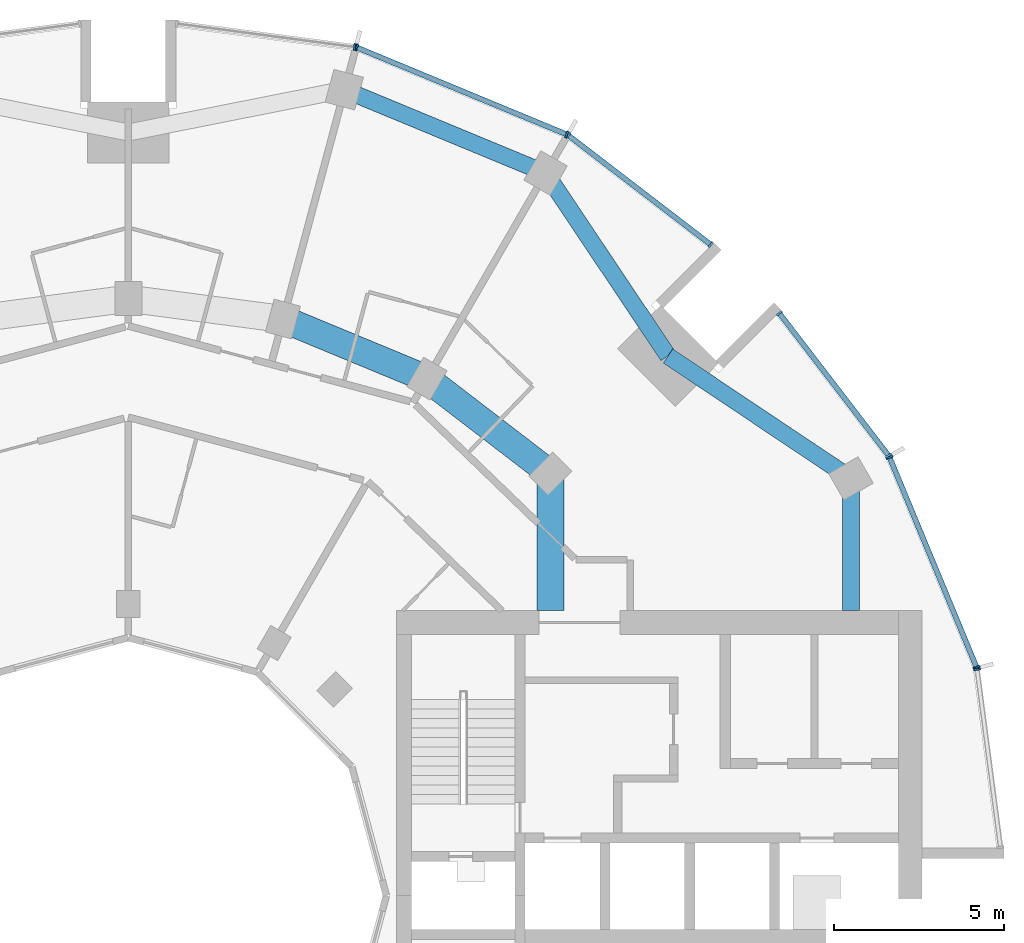
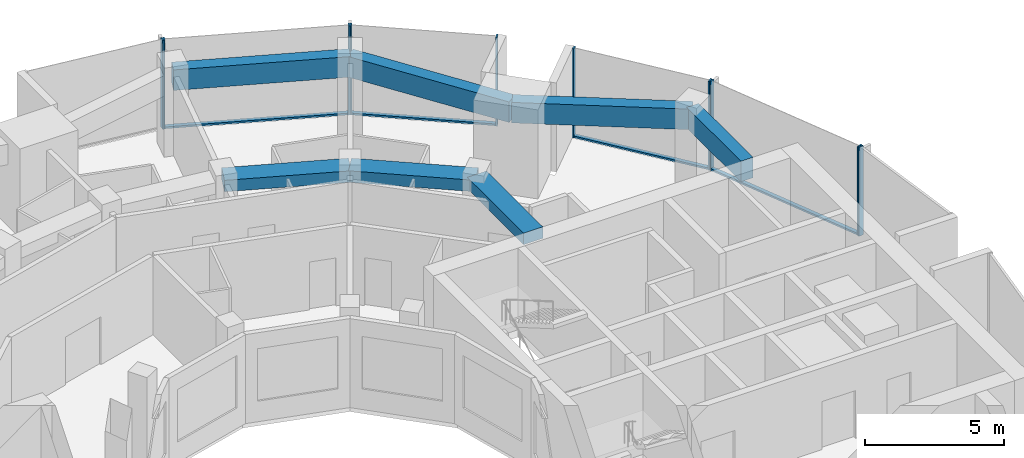
# One storey, part 6 of 15: 14 members, 7 beams, 6 elements without a shape of their own.
"""IFC4 building model written with IfcOpenShell, lengths in metres."""

from ifc_helpers import new_model, si_unit, direction, frame, origin, origin_2d, place, context, subcontext, project, spatial, rectangle, extrude, material, layer, layer_set, material_profile, profile_set, type_object, element, aggregate, save


model = new_model("IFC4")

# Units and contexts
model_context = context("Model", 3, precision=1e-05, world=origin(), true_north=direction((0.0, 1.0)))
body_context = subcontext(model_context, "Body", "Model", "MODEL_VIEW")
ifc_project = project(units=[si_unit("LENGTHUNIT", "METRE"), si_unit("AREAUNIT", "SQUARE_METRE"), si_unit("VOLUMEUNIT", "CUBIC_METRE"), si_unit("PLANEANGLEUNIT", "RADIAN"), si_unit("MASSUNIT", "GRAM", prefix="KILO")], contexts=[model_context])

# Site, building, storey
site_placement = place(None, origin())
site = spatial("IfcSite", under=ifc_project, at=site_placement, CompositionType="ELEMENT")
building_placement = place(site_placement, origin())
building = spatial("IfcBuilding", under=site, at=building_placement, Name="Torre Brocal", CompositionType="ELEMENT")
storey_placement = place(building_placement, frame((0.0, 0.0, 114.60009765625)))
storey = spatial("IfcBuildingStorey", under=building, at=storey_placement, Name="L26", CompositionType="ELEMENT", Elevation=114.60009765625)

# Curtain wall, members
ifc_material_1 = material(Name="Aluminium and glass", Category="aluminium")
ifc_layer_1 = layer(ifc_material_1, 0.199951171875)
ifc_layer_set_1 = layer_set([ifc_layer_1], Name="Aluminium and glass")
curtain_wall_type_1 = type_object("IfcCurtainWallType", Name="CW-1 CURTAIN WALL 3900 HIGH", PredefinedType="NOTDEFINED", material=ifc_layer_set_1)
curtain_wall_1_placement = place(storey_placement, origin())
curtain_wall_1 = element("IfcCurtainWall", 1, at=curtain_wall_1_placement, inside=storey, type_object=curtain_wall_type_1, Name="CW-1 RUN 2", PredefinedType="NOTDEFINED")
ifc_material_2 = material(Name="Aluminium, dark anodised", Category="aluminium")
ifc_material_profile_1 = material_profile(ifc_material_2, rectangle(XDim=0.199951171875, YDim=0.06005859375, at=origin_2d()), Name="CW-1 MULLION 60X200")
ifc_profile_set_1 = profile_set([ifc_material_profile_1], Name="Aluminium, dark anodised")
member_type_1 = type_object("IfcMemberType", Name="CW-1 MULLION 60X200", PredefinedType="MULLION", material=ifc_profile_set_1)
member_1_placement = place(storey_placement, frame((105.005126953125, 81.73095703125, 0.0), z_axis=(0.0, 0.0, 1.0), x_axis=(-0.923879532525, -0.382683432333, 0.0)))
member_1 = element("IfcMember", 2, at=member_1_placement, type_object=member_type_1, Name="CW1-3 mullion 1", PredefinedType="MULLION", context=body_context, shape_type="SweptSolid", body=[
    extrude(rectangle(XDim=0.199951171875, YDim=0.06005859375, at=origin_2d()), origin(), (0.0, 0.0, 1.0), 3.89990234375),
])
member_2_placement = place(storey_placement, frame((102.440673828125, 87.921875, 0.0), z_axis=(0.0, 0.0, 1.0), x_axis=(-0.923879532525, -0.382683432333, 0.0)))
member_2 = element("IfcMember", 3, at=member_2_placement, type_object=member_type_1, Name="CW1-3 mullion 2", PredefinedType="MULLION", context=body_context, shape_type="SweptSolid", body=[
    extrude(rectangle(XDim=0.199951171875, YDim=0.06005859375, at=origin_2d()), origin(), (0.0, 0.0, 1.0), 3.89990234375),
])

curtain_wall_2_placement = place(storey_placement, origin())
curtain_wall_2 = element("IfcCurtainWall", 4, at=curtain_wall_2_placement, inside=storey, type_object=curtain_wall_type_1, Name="CW-1 RUN 3", PredefinedType="NOTDEFINED")
member_3_placement = place(storey_placement, frame((102.4111328125, 87.973388671875, 0.0), z_axis=(0.0, 0.0, 1.0), x_axis=(-0.793353340259, -0.60876142905, 0.0)))
member_3 = element("IfcMember", 5, at=member_3_placement, type_object=member_type_1, Name="CW1-3 mullion 1", PredefinedType="MULLION", context=body_context, shape_type="SweptSolid", body=[
    extrude(rectangle(XDim=0.199951171875, YDim=0.06005859375, at=origin_2d()), origin(), (0.0, 0.0, 1.0), 3.89990234375),
])
member_4_placement = place(storey_placement, frame((99.19140625, 92.16943359375, 0.0), z_axis=(0.0, 0.0, 1.0), x_axis=(-0.793353340259, -0.60876142905, 0.0)))
member_4 = element("IfcMember", 6, at=member_4_placement, type_object=member_type_1, Name="CW1-3 mullion 2", PredefinedType="MULLION", context=body_context, shape_type="SweptSolid", body=[
    extrude(rectangle(XDim=0.199951171875, YDim=0.06005859375, at=origin_2d()), origin(), (0.0, 0.0, 1.0), 3.89990234375),
])

curtain_wall_3_placement = place(storey_placement, origin())
curtain_wall_3 = element("IfcCurtainWall", 7, at=curtain_wall_3_placement, inside=storey, type_object=curtain_wall_type_1, Name="CW-1 RUN 4", PredefinedType="NOTDEFINED")
member_5_placement = place(storey_placement, frame((97.16943359375, 94.19140625, 0.0), z_axis=(0.0, 0.0, 1.0), x_axis=(-0.60876142905, -0.793353340259, 0.0)))
member_5 = element("IfcMember", 8, at=member_5_placement, type_object=member_type_1, Name="CW1-3 mullion 1", PredefinedType="MULLION", context=body_context, shape_type="SweptSolid", body=[
    extrude(rectangle(XDim=0.199951171875, YDim=0.06005859375, at=origin_2d()), origin(), (0.0, 0.0, 1.0), 3.89990234375),
])
member_6_placement = place(storey_placement, frame((92.973388671875, 97.4111328125, 0.0), z_axis=(0.0, 0.0, 1.0), x_axis=(-0.60876142905, -0.793353340259, 0.0)))
member_6 = element("IfcMember", 9, at=member_6_placement, type_object=member_type_1, Name="CW1-3 mullion 2", PredefinedType="MULLION", context=body_context, shape_type="SweptSolid", body=[
    extrude(rectangle(XDim=0.199951171875, YDim=0.06005859375, at=origin_2d()), origin(), (0.0, 0.0, 1.0), 3.89990234375),
])

curtain_wall_4_placement = place(storey_placement, origin())
curtain_wall_4 = element("IfcCurtainWall", 10, at=curtain_wall_4_placement, inside=storey, type_object=curtain_wall_type_1, Name="CW-1 RUN 5", PredefinedType="NOTDEFINED")
member_7_placement = place(storey_placement, frame((92.921875, 97.440673828125, 0.0), z_axis=(0.0, 0.0, 1.0), x_axis=(-0.382683432333, -0.923879532525, 0.0)))
member_7 = element("IfcMember", 11, at=member_7_placement, type_object=member_type_1, Name="CW1-3 mullion 1", PredefinedType="MULLION", context=body_context, shape_type="SweptSolid", body=[
    extrude(rectangle(XDim=0.199951171875, YDim=0.06005859375, at=origin_2d()), origin(), (0.0, 0.0, 1.0), 3.89990234375),
])
member_8_placement = place(storey_placement, frame((86.73095703125, 100.005126953125, 0.0), z_axis=(0.0, 0.0, 1.0), x_axis=(-0.382683432333, -0.923879532525, 0.0)))
member_8 = element("IfcMember", 12, at=member_8_placement, type_object=member_type_1, Name="CW1-3 mullion 2", PredefinedType="MULLION", context=body_context, shape_type="SweptSolid", body=[
    extrude(rectangle(XDim=0.199951171875, YDim=0.06005859375, at=origin_2d()), origin(), (0.0, 0.0, 1.0), 3.89990234375),
])

# Curtain wall, member
curtain_wall_5_placement = place(storey_placement, origin())
curtain_wall_5 = element("IfcCurtainWall", 13, at=curtain_wall_5_placement, inside=storey, type_object=curtain_wall_type_1, Name="CW-1 RUN 6", PredefinedType="NOTDEFINED")
member_9_placement = place(storey_placement, frame((86.67333984375, 100.0205078125, 0.0), z_axis=(0.0, 0.0, 1.0), x_axis=(-0.13052619222, -0.991444861374, 0.0)))
member_9 = element("IfcMember", 14, at=member_9_placement, type_object=member_type_1, Name="CW1-3 mullion 1", PredefinedType="MULLION", context=body_context, shape_type="SweptSolid", body=[
    extrude(rectangle(XDim=0.199951171875, YDim=0.06005859375, at=origin_2d()), origin(), (0.0, 0.0, 1.0), 3.89990234375),
])
aggregate(curtain_wall_5, [member_9])

# Member
ifc_material_3 = material(Name="Aluminium, dark anodised", Category="aluminium")
ifc_material_profile_2 = material_profile(ifc_material_3, rectangle(XDim=0.159912109375, YDim=0.080078125, at=origin_2d()), Name="CW-1 TRANSOM 160X80")
ifc_profile_set_2 = profile_set([ifc_material_profile_2], Name="Aluminium, dark anodised")
member_type_2 = type_object("IfcMemberType", Name="CW-1 TRANSOM 160X80", PredefinedType="USERDEFINED", material=ifc_profile_set_2)
member_10_placement = place(storey_placement, frame((104.99365234375, 81.758544921875, 0.039794921875), z_axis=(-0.38266457234, 0.923887344364, 0.0), x_axis=(-0.923887344364, -0.38266457234, 0.0)))
member_10 = element("IfcMember", 15, at=member_10_placement, type_object=member_type_2, Name="CW1-3 transom 1.1", ObjectType="TRANSOM", PredefinedType="USERDEFINED", context=body_context, shape_type="SweptSolid", body=[
    extrude(rectangle(XDim=0.159912109375, YDim=0.080078125, at=origin_2d()), origin(), (0.0, 0.0, 1.0), 6.640869140625),
])

aggregate(curtain_wall_1, [member_1, member_2, member_10])

member_11_placement = place(storey_placement, frame((102.392822265625, 87.9970703125, 0.039794921875), z_axis=(-0.60874908096, 0.79336281513, 0.0), x_axis=(-0.79336281513, -0.60874908096, 0.0)))
member_11 = element("IfcMember", 16, at=member_11_placement, type_object=member_type_2, Name="CW1-3 transom 1.1", ObjectType="TRANSOM", PredefinedType="USERDEFINED", context=body_context, shape_type="SweptSolid", body=[
    extrude(rectangle(XDim=0.159912109375, YDim=0.080078125, at=origin_2d()), origin(), (0.0, 0.0, 1.0), 5.22900390625),
])

aggregate(curtain_wall_2, [member_3, member_4, member_11])

member_12_placement = place(storey_placement, frame((97.1455078125, 94.209716796875, 0.039794921875), z_axis=(-0.79336281513, 0.60874908096, 0.0), x_axis=(-0.60874908096, -0.79336281513, 0.0)))
member_12 = element("IfcMember", 17, at=member_12_placement, type_object=member_type_2, Name="CW1-3 transom 1.1", ObjectType="TRANSOM", PredefinedType="USERDEFINED", context=body_context, shape_type="SweptSolid", body=[
    extrude(rectangle(XDim=0.159912109375, YDim=0.080078125, at=origin_2d()), origin(), (0.0, 0.0, 1.0), 5.22900390625),
])

aggregate(curtain_wall_3, [member_5, member_6, member_12])

member_13_placement = place(storey_placement, frame((92.89404296875, 97.452392578125, 0.039794921875), z_axis=(-0.923887344364, 0.38266457234, 0.0), x_axis=(-0.38266457234, -0.923887344364, 0.0)))
member_13 = element("IfcMember", 18, at=member_13_placement, type_object=member_type_2, Name="CW1-3 transom 1.1", ObjectType="TRANSOM", PredefinedType="USERDEFINED", context=body_context, shape_type="SweptSolid", body=[
    extrude(rectangle(XDim=0.159912109375, YDim=0.080078125, at=origin_2d()), origin(), (0.0, 0.0, 1.0), 6.640869140625),
])

aggregate(curtain_wall_4, [member_7, member_8, member_13])

# Curtain wall, member
ifc_material_4 = material(Name="Aluminium and glass", Category="aluminium")
ifc_layer_2 = layer(ifc_material_4, 0.199951171875)
ifc_layer_set_2 = layer_set([ifc_layer_2], Name="Aluminium and glass")
curtain_wall_type_2 = type_object("IfcCurtainWallType", Name="CW-1B CURTAIN WALL 3900 HIGH", PredefinedType="NOTDEFINED", material=ifc_layer_set_2)
curtain_wall_6_placement = place(storey_placement, origin())
curtain_wall_6 = element("IfcCurtainWall", 19, at=curtain_wall_6_placement, inside=storey, type_object=curtain_wall_type_2, Name="CW-1B RUN 1", PredefinedType="NOTDEFINED")
ifc_material_5 = material(Name="Aluminium, dark anodised", Category="aluminium")
ifc_material_profile_3 = material_profile(ifc_material_5, rectangle(XDim=0.199951171875, YDim=0.06005859375, at=origin_2d()), Name="CW-1B MULLION 60X200")
ifc_profile_set_3 = profile_set([ifc_material_profile_3], Name="Aluminium, dark anodised")
member_type_3 = type_object("IfcMemberType", Name="CW-1B MULLION 60X200", PredefinedType="MULLION", material=ifc_profile_set_3)
member_14_placement = place(storey_placement, frame((105.0205078125, 81.67333984375, 0.0), z_axis=(0.0, 0.0, 1.0), x_axis=(-0.991444861374, -0.13052619222, 0.0)))
member_14 = element("IfcMember", 20, at=member_14_placement, type_object=member_type_3, Name="CW1B-3 mullion 2", PredefinedType="MULLION", context=body_context, shape_type="SweptSolid", body=[
    extrude(rectangle(XDim=0.199951171875, YDim=0.06005859375, at=origin_2d()), origin(), (0.0, 0.0, 1.0), 3.89990234375),
])
aggregate(curtain_wall_6, [member_14])

# Beams
ifc_material_6 = material(Name="Concrete C50", Category="concrete")
ifc_material_profile_4 = material_profile(ifc_material_6, rectangle(XDim=0.800048828125, YDim=0.5, at=origin_2d()), Name="RC 800X500")
ifc_profile_set_4 = profile_set([ifc_material_profile_4], Name="Concrete C50")
beam_type_1 = type_object("IfcBeamType", Name="RC BEAM 800X500 C50 TOP 3580", PredefinedType="BEAM", material=ifc_profile_set_4)
beam_1_placement = place(storey_placement, frame((92.445068359375, 87.445068359375, 3.329833984375), z_axis=(-0.793358265959, 0.6087550097, 0.0), x_axis=(-0.6087550097, -0.793358265959, 0.0)))
element("IfcBeam", 21, at=beam_1_placement, inside=storey, type_object=beam_type_1, Name="Beam BT-28", PredefinedType="BEAM", context=body_context, shape_type="SweptSolid", body=[
    extrude(rectangle(XDim=0.800048828125, YDim=0.5, at=origin_2d()), origin(), (0.0, 0.0, 1.0), 4.594482421875),
])
beam_2_placement = place(storey_placement, frame((88.800048828125, 90.241943359375, 3.329833984375), z_axis=(-0.923878240166, 0.382686552348, 0.0), x_axis=(-0.382686552348, -0.923878240166, 0.0)))
element("IfcBeam", 22, at=beam_2_placement, inside=storey, type_object=beam_type_1, Name="Beam BT-28", PredefinedType="BEAM", context=body_context, shape_type="SweptSolid", body=[
    extrude(rectangle(XDim=0.800048828125, YDim=0.5, at=origin_2d()), origin(), (0.0, 0.0, 1.0), 4.5947265625),
])
beam_3_placement = place(storey_placement, frame((92.445068359375, 87.445068359375, 3.329833984375), z_axis=(0.0, -1.0, 0.0), x_axis=(1.0, 0.0, 0.0)))
element("IfcBeam", 23, at=beam_3_placement, inside=storey, type_object=beam_type_1, Name="Beam BT-28", PredefinedType="BEAM", context=body_context, shape_type="SweptSolid", body=[
    extrude(rectangle(XDim=0.800048828125, YDim=0.5, at=origin_2d()), origin(), (0.0, 0.0, 1.0), 4.045166015625),
])
ifc_material_7 = material(Name="Concrete C50", Category="concrete")
ifc_material_profile_5 = material_profile(ifc_material_7, rectangle(XDim=0.5, YDim=0.89990234375, at=origin_2d()), Name="RC 500X900")
ifc_profile_set_5 = profile_set([ifc_material_profile_5], Name="Concrete C50")
beam_type_2 = type_object("IfcBeamType", Name="RC SPANDREL BEAM 500X900 C50 TOP 3580", PredefinedType="SPANDREL", material=ifc_profile_set_5)
for number, where, z_axis, x_axis, name in (
    (24, (101.30419921875, 87.300048828125, 3.1298828125), (-0.831076844476, 0.556157602282, 0.0), (-0.556157602282, -0.831076844476, 0.0), "Beam BT-29"),
    (25, (95.909912109375, 90.909912109375, 3.1298828125), (-0.556157602282, 0.831076844476, 0.0), (-0.831076844476, -0.556157602282, 0.0), "Beam BT-29"),
):
    element("IfcBeam", number, at=place(storey_placement, frame(where, z_axis=z_axis, x_axis=x_axis)), inside=storey, type_object=beam_type_2, Name=name, PredefinedType="SPANDREL", context=body_context, shape_type="SweptSolid", body=[
        extrude(rectangle(XDim=0.5, YDim=0.89990234375, at=origin_2d()), origin(), (0.0, 0.0, 1.0), 6.49072265625),
    ])
beam_4_placement = place(storey_placement, frame((92.300048828125, 96.30419921875, 3.1298828125), z_axis=(-0.923882462513, 0.382676358639, 0.0), x_axis=(-0.382676358639, -0.923882462513, 0.0)))
element("IfcBeam", 26, at=beam_4_placement, inside=storey, type_object=beam_type_2, Name="Beam BT-29", PredefinedType="SPANDREL", context=body_context, shape_type="SweptSolid", body=[
    extrude(rectangle(XDim=0.5, YDim=0.89990234375, at=origin_2d()), origin(), (0.0, 0.0, 1.0), 6.421875),
])
beam_5_placement = place(storey_placement, frame((101.30419921875, 87.300048828125, 3.1298828125), z_axis=(0.0, -1.0, 0.0), x_axis=(1.0, 0.0, 0.0)))
element("IfcBeam", 27, at=beam_5_placement, inside=storey, type_object=beam_type_2, Name="Beam BT-29", PredefinedType="SPANDREL", context=body_context, shape_type="SweptSolid", body=[
    extrude(rectangle(XDim=0.5, YDim=0.89990234375, at=origin_2d()), origin(), (0.0, 0.0, 1.0), 3.900146484375),
])

save(model, "model.ifc")
